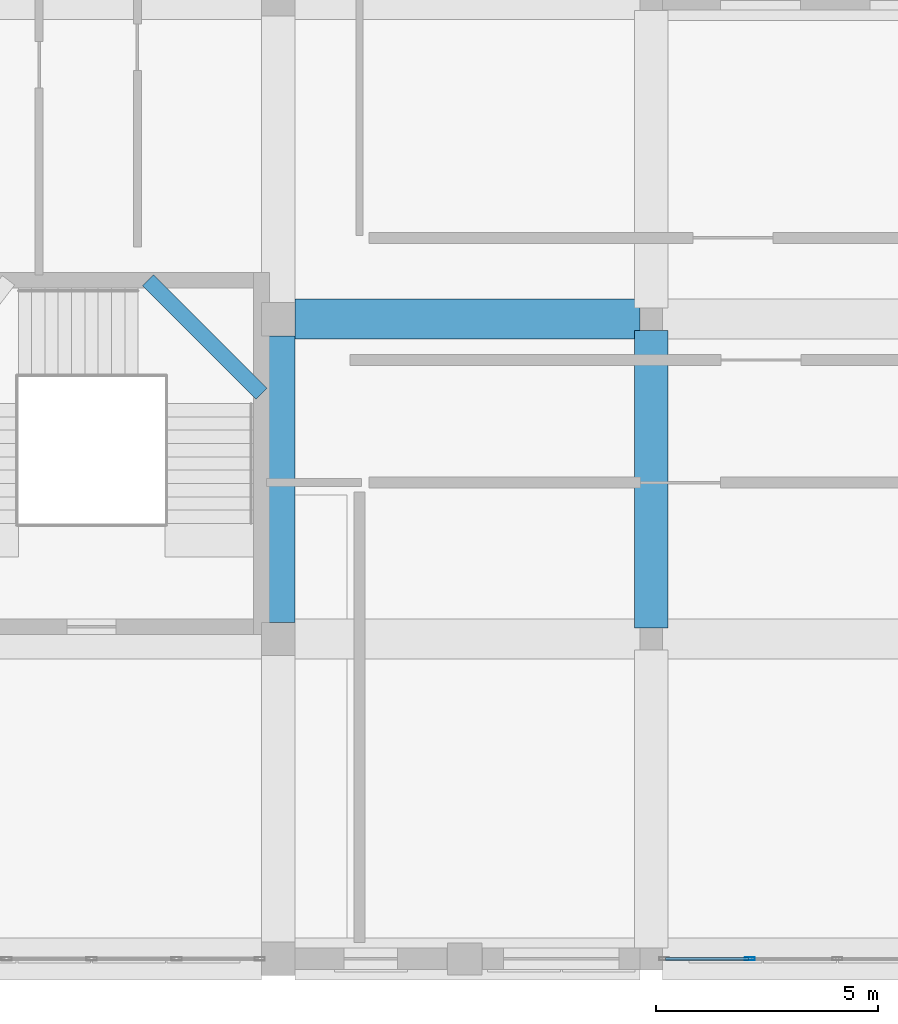
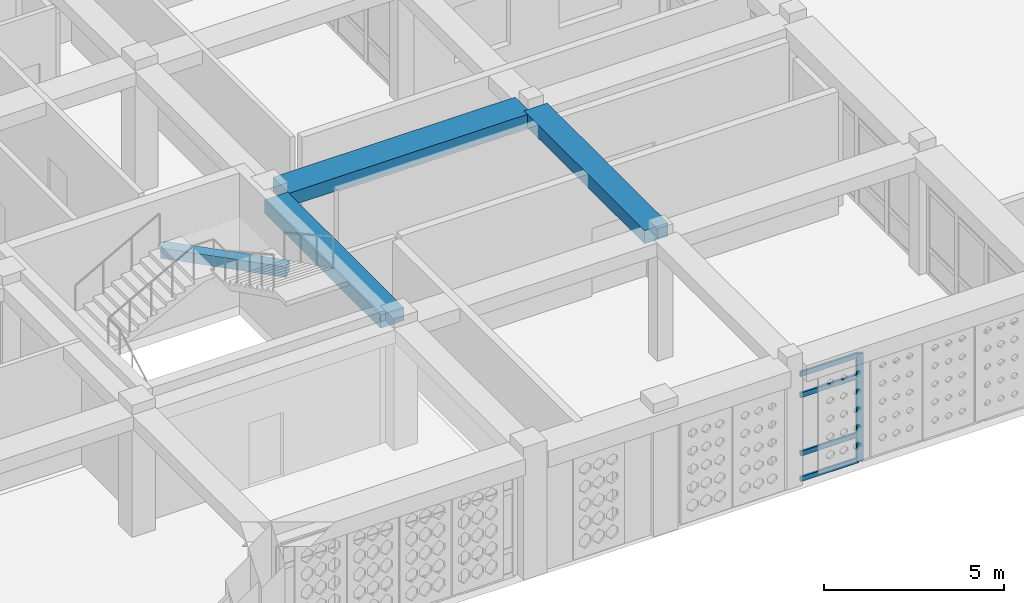
# One storey, part 43 of 111: 5 members, 4 beams, 1 element without a shape of its own.
"""IFC4 building model written with IfcOpenShell, lengths in metres."""

import ifcopenshell
import ifcopenshell.guid

model = None  # the IFC model being written
_history = None  # IfcOwnerHistory: only IFC2X3 demands one
_inside = {}  # id of a spatial element -> (the spatial element, [elements in it])
_under = {}  # id of a project, library or spatial element -> (it, [spatial elements below it])
_declared = {}  # id of a project -> (the project, [libraries it declares])
_typed = {}  # id of a type object -> (the type object, [elements of that type])
_made_of = {}  # id of a material, layer set ... -> (it, [elements and type objects made of it])


def new_model(schema):
    """Start an empty IFC model of exactly this schema.

    Asked for "IFC4X3", IfcOpenShell would pick the latest addendum, in which some entities
    have other attributes; the version numbers below select the first issue.
    IFC2X3 requires an IfcOwnerHistory on every rooted entity: one is made here for all.
    """
    global model, _history
    if schema == "IFC4X3":
        model = ifcopenshell.file(schema_version=(4, 3, 0, 0))
    else:
        model = ifcopenshell.file(schema=schema)
    _inside.clear()
    _under.clear()
    _declared.clear()
    _typed.clear()
    _made_of.clear()
    _history = None
    if model.schema == "IFC2X3":
        org = make("IfcOrganization", Name="unknown")
        user = make(
            "IfcPersonAndOrganization",
            ThePerson=make("IfcPerson", FamilyName="unknown"),
            TheOrganization=org,
        )
        app = make(
            "IfcApplication",
            ApplicationDeveloper=org,
            Version="unknown",
            ApplicationFullName="unknown",
            ApplicationIdentifier="unknown",
        )
        _history = make(
            "IfcOwnerHistory",
            OwningUser=user,
            OwningApplication=app,
            ChangeAction="ADDED",
            CreationDate=0,
        )
    return model


def make(cls, **values):
    """One entity of the class cls with the attributes given. An attribute that is None is left unset."""
    return model.create_entity(
        cls, **{name: value for name, value in values.items() if value is not None}
    )


def rooted(cls, **values):
    """An entity with a GlobalId (a new one), such as an element, a storey or a relation."""
    return make(cls, GlobalId=ifcopenshell.guid.new(), OwnerHistory=_history, **values)


def si_unit(unit_type, name, prefix=None):
    """IfcSIUnit, for example si_unit("LENGTHUNIT", "METRE", prefix="MILLI")."""
    return make("IfcSIUnit", UnitType=unit_type, Prefix=prefix, Name=name)


def derived_unit(unit_type, elements):
    """IfcDerivedUnit: a product of units, each with its exponent."""
    return make(
        "IfcDerivedUnit",
        Elements=[
            make("IfcDerivedUnitElement", Unit=unit, Exponent=power)
            for unit, power in elements
        ],
        UnitType=unit_type,
    )


def assignment(units):
    """IfcUnitAssignment: the units of a project."""
    return None if units is None else make("IfcUnitAssignment", Units=units)


def point(xyz):
    """IfcCartesianPoint."""
    return None if xyz is None else make("IfcCartesianPoint", Coordinates=xyz)


def direction(xyz):
    """IfcDirection."""
    return None if xyz is None else make("IfcDirection", DirectionRatios=xyz)


def frame(location, z_axis=None, x_axis=None):
    """IfcAxis2Placement3D, a coordinate frame: its origin and axes. An axis left out is left unset."""
    return make(
        "IfcAxis2Placement3D",
        Location=point(location),
        Axis=direction(z_axis),
        RefDirection=direction(x_axis),
    )


def frame_2d(location, x_axis=None):
    """IfcAxis2Placement2D, a coordinate frame in the plane: its origin and x axis."""
    return make(
        "IfcAxis2Placement2D", Location=point(location), RefDirection=direction(x_axis)
    )


def origin():
    """The frame at (0, 0, 0) with its axes left unset."""
    return frame((0.0, 0.0, 0.0))


def origin_2d():
    """The frame at (0, 0) in the plane with its x axis left unset."""
    return frame_2d((0.0, 0.0))


def place(relative_to, where):
    """IfcLocalPlacement: puts the frame where relative to a parent placement (None: the world)."""
    return make(
        "IfcLocalPlacement", PlacementRelTo=relative_to, RelativePlacement=where
    )


def context(
    kind, dimensions, precision=None, world=None, true_north=None, identifier=None
):
    """IfcGeometricRepresentationContext, for example the 3D "Model" context."""
    return make(
        "IfcGeometricRepresentationContext",
        ContextIdentifier=identifier,
        ContextType=kind,
        CoordinateSpaceDimension=dimensions,
        Precision=precision,
        WorldCoordinateSystem=world,
        TrueNorth=true_north,
    )


def subcontext(parent, identifier, kind, view, scale=None):
    """IfcGeometricRepresentationSubContext, for example "Body" below "Model"."""
    return make(
        "IfcGeometricRepresentationSubContext",
        ContextIdentifier=identifier,
        ContextType=kind,
        ParentContext=parent,
        TargetScale=scale,
        TargetView=view,
    )


def project(units=None, contexts=None):
    """IfcProject with its units and contexts."""
    return rooted(
        "IfcProject",
        Name="project",
        RepresentationContexts=contexts,
        UnitsInContext=assignment(units),
    )


def spatial(cls, under=None, at=None, **own):
    """A site, building, storey or space (cls), placed at a placement, below another one or the project."""
    s = rooted(cls, ObjectPlacement=at, **own)
    if under is not None:
        _under.setdefault(under.id(), (under, []))[1].append(s)
    return s


def profile(cls, at=None, kind="AREA", **sizes):
    """A parametric profile (cls). Its sizes go by their IFC names, for example OverallWidth=200.0."""
    return make(cls, ProfileType=kind, Position=at, **sizes)


def rectangle(**sizes):
    """IfcRectangleProfileDef."""
    return profile("IfcRectangleProfileDef", **sizes)


def hollow_rectangle(**sizes):
    """IfcRectangleHollowProfileDef."""
    return profile("IfcRectangleHollowProfileDef", **sizes)


def extrude(swept, where, along, depth):
    """IfcExtrudedAreaSolid: the profile swept, set in the frame where, extruded along a direction by depth."""
    return make(
        "IfcExtrudedAreaSolid",
        SweptArea=swept,
        Position=where,
        ExtrudedDirection=direction(along),
        Depth=depth,
    )


def shape(context_of_items, identifier, shape_type, items):
    """IfcShapeRepresentation: the items that make up one representation, for example the "Body"."""
    return make(
        "IfcShapeRepresentation",
        ContextOfItems=context_of_items,
        RepresentationIdentifier=identifier,
        RepresentationType=shape_type,
        Items=items,
    )


def material(Name=None, Category=None):
    """IfcMaterial."""
    return make("IfcMaterial", Name=Name, Category=Category)


def material_profile(
    of_material, cross_section, Name=None, Category=None, Priority=None
):
    """IfcMaterialProfile: a cross section and its material."""
    return make(
        "IfcMaterialProfile",
        Name=Name,
        Material=of_material,
        Profile=cross_section,
        Priority=Priority,
        Category=Category,
    )


def profile_set(profiles, Name=None, composite=None):
    """IfcMaterialProfileSet."""
    return make(
        "IfcMaterialProfileSet",
        Name=Name,
        MaterialProfiles=profiles,
        CompositeProfile=composite,
    )


def made_of(thing, what):
    """Note that an element or type object is made of a material, layer set ...; save() writes the relation."""
    if what is not None:
        _made_of.setdefault(what.id(), (what, []))[1].append(thing)
    return thing


def type_object(cls, material=None, **own):
    """A type object (cls), such as IfcWallType, which elements share."""
    return made_of(rooted(cls, **own), material)


def element(
    cls,
    number,
    at=None,
    inside=None,
    cuts=None,
    type_object=None,
    material=None,
    context=None,
    identifier="Body",
    shape_type=None,
    held_by="IfcProductDefinitionShape",
    body=None,
    shapes=None,
    **own,
):
    """One element of the class cls, such as IfcWall. Its Tag is "e" and its number.

    at: its placement. inside: the storey or other place that contains it. cuts: it is an
    opening in that element (IfcRelVoidsElement). A single representation is given by context,
    identifier, shape_type and body (its items); several are given by shapes. held_by: the class
    of the entity that holds the representations. save() writes the other relations.
    """
    e = rooted(cls, Tag="e%d" % number, ObjectPlacement=at, **own)
    if body is not None:
        shapes = [shape(context, identifier, shape_type, body)]
    if shapes is not None:
        e.Representation = make(held_by, Representations=shapes)
    if inside is not None:
        _inside.setdefault(inside.id(), (inside, []))[1].append(e)
    if cuts is not None:
        rooted(
            "IfcRelVoidsElement", RelatingBuildingElement=cuts, RelatedOpeningElement=e
        )
    if type_object is not None:
        _typed.setdefault(type_object.id(), (type_object, []))[1].append(e)
    return made_of(e, material)


def aggregate(whole, parts):
    """IfcRelAggregates: a whole, such as a stair, and the parts it consists of."""
    return rooted("IfcRelAggregates", RelatingObject=whole, RelatedObjects=parts)


def save(model, path):
    """Write the relations noted so far, then the file.

    IfcRelAggregates (storeys below a building ...), IfcRelContainedInSpatialStructure (elements
    in a storey), IfcRelDefinesByType, IfcRelAssociatesMaterial and IfcRelDeclares: one each for
    every whole, place, type object, material and project.
    """
    for whole, parts in _under.values():
        aggregate(whole, parts)
    for where, things in _inside.values():
        rooted(
            "IfcRelContainedInSpatialStructure",
            RelatedElements=things,
            RelatingStructure=where,
        )
    for kind, things in _typed.values():
        rooted("IfcRelDefinesByType", RelatedObjects=things, RelatingType=kind)
    for what, things in _made_of.values():
        rooted("IfcRelAssociatesMaterial", RelatedObjects=things, RelatingMaterial=what)
    for by, libraries in _declared.values():
        rooted("IfcRelDeclares", RelatingContext=by, RelatedDefinitions=libraries)
    model.write(path)


model = new_model("IFC4")

# Units and contexts
model_context = context("Model", 3, precision=1e-05, world=origin(), true_north=direction((0.0, 1.0)))
body_context = subcontext(model_context, "Body", "Model", "MODEL_VIEW")
ifc_project = project(units=[si_unit("LENGTHUNIT", "METRE"), si_unit("AREAUNIT", "SQUARE_METRE"), si_unit("VOLUMEUNIT", "CUBIC_METRE"), si_unit("PLANEANGLEUNIT", "RADIAN"), si_unit("MASSUNIT", "GRAM", prefix="KILO"), derived_unit("THERMALTRANSMITTANCEUNIT", [(si_unit("POWERUNIT", "WATT"), 1), (si_unit("LENGTHUNIT", "METRE"), -2), (si_unit("THERMODYNAMICTEMPERATUREUNIT", "KELVIN"), -1)])], contexts=[model_context])

# Site, building, storey
site_placement = place(None, origin())
site = spatial("IfcSite", under=ifc_project, at=site_placement, CompositionType="ELEMENT")
building_placement = place(site_placement, origin())
building = spatial("IfcBuilding", under=site, at=building_placement, Name="Veybourne Emporium", CompositionType="ELEMENT")
storey_placement = place(building_placement, frame((0.0, 0.0, 9.89990234375)))
storey = spatial("IfcBuildingStorey", under=building, at=storey_placement, Name="L02", CompositionType="ELEMENT", Elevation=9.89990234375)

# Curtain wall, members
ifc_material_1 = material(Name="Patinated Architectural Bronze", Category="bronze")
curtain_wall_type = type_object("IfcCurtainWallType", Name="CWSystem_CWS-01", PredefinedType="NOTDEFINED", material=ifc_material_1)
curtain_wall_placement = place(storey_placement, origin())
curtain_wall = element("IfcCurtainWall", 1, at=curtain_wall_placement, inside=storey, type_object=curtain_wall_type, Name="L02 bronze glazed curtain wall CWS-01 (072)", PredefinedType="NOTDEFINED")
ifc_material_profile_1 = material_profile(ifc_material_1, hollow_rectangle(XDim=0.072021484375, YDim=0.22509765625, WallThickness=0.0048828125, InnerFilletRadius=0.007568359375, OuterFilletRadius=0.012451171875, at=origin_2d()), Name="CWM 72x225x5")
ifc_profile_set_1 = profile_set([ifc_material_profile_1], Name="Patinated Architectural Bronze")
member_type_1 = type_object("IfcMemberType", Name="CWMullion_CW-M1", PredefinedType="MULLION", material=ifc_profile_set_1)
member_1_placement = place(storey_placement, frame((145.018798828125, 0.0, 0.0), z_axis=(0.0, 0.0, 1.0), x_axis=(0.0, -1.0, 0.0)))
member_1 = element("IfcMember", 2, at=member_1_placement, type_object=member_type_1, Name="CWS-01 mullion 4", PredefinedType="MULLION", context=body_context, shape_type="SweptSolid", body=[
    extrude(hollow_rectangle(XDim=0.072021484375, YDim=0.22509765625, WallThickness=0.0048828125, InnerFilletRadius=0.007568359375, OuterFilletRadius=0.012451171875, at=origin_2d()), origin(), (0.0, 0.0, 1.0), 3.630126953125),
])
ifc_material_profile_2 = material_profile(ifc_material_1, hollow_rectangle(XDim=0.072021484375, YDim=0.175048828125, WallThickness=0.0048828125, InnerFilletRadius=0.007568359375, OuterFilletRadius=0.012451171875, at=origin_2d()), Name="CWT 72x175x5")
ifc_profile_set_2 = profile_set([ifc_material_profile_2], Name="Patinated Architectural Bronze")
member_type_2 = type_object("IfcMemberType", Name="CWTransom_CW-T1", PredefinedType="NOTDEFINED", material=ifc_profile_set_2)
member_2_placement = place(storey_placement, frame((144.982666015625, 0.0, 0.0361328125), z_axis=(-1.0, 0.0, 0.0), x_axis=(0.0, -1.0, 0.0)))
member_2 = element("IfcMember", 3, at=member_2_placement, type_object=member_type_2, Name="CWS-01 transom 4.1", ObjectType="TRANSOM", PredefinedType="USERDEFINED", context=body_context, shape_type="SweptSolid", body=[
    extrude(hollow_rectangle(XDim=0.072021484375, YDim=0.175048828125, WallThickness=0.0048828125, InnerFilletRadius=0.007568359375, OuterFilletRadius=0.012451171875, at=origin_2d()), origin(), (0.0, 0.0, 1.0), 1.860595703125),
])
member_3_placement = place(storey_placement, frame((144.982666015625, 0.0, 0.900146484375), z_axis=(-1.0, 0.0, 0.0), x_axis=(0.0, -1.0, 0.0)))
member_3 = element("IfcMember", 4, at=member_3_placement, type_object=member_type_2, Name="CWS-01 transom 4.2", ObjectType="TRANSOM", PredefinedType="USERDEFINED", context=body_context, shape_type="SweptSolid", body=[
    extrude(hollow_rectangle(XDim=0.072021484375, YDim=0.175048828125, WallThickness=0.0048828125, InnerFilletRadius=0.007568359375, OuterFilletRadius=0.012451171875, at=origin_2d()), origin(), (0.0, 0.0, 1.0), 1.860595703125),
])
member_4_placement = place(storey_placement, frame((144.982666015625, 0.0, 2.880126953125), z_axis=(-1.0, 0.0, 0.0), x_axis=(0.0, -1.0, 0.0)))
member_4 = element("IfcMember", 5, at=member_4_placement, type_object=member_type_2, Name="CWS-01 transom 4.3", ObjectType="TRANSOM", PredefinedType="USERDEFINED", context=body_context, shape_type="SweptSolid", body=[
    extrude(hollow_rectangle(XDim=0.072021484375, YDim=0.175048828125, WallThickness=0.0048828125, InnerFilletRadius=0.007568359375, OuterFilletRadius=0.012451171875, at=origin_2d()), origin(), (0.0, 0.0, 1.0), 1.860595703125),
])
member_5_placement = place(storey_placement, frame((144.982666015625, 0.0, 3.593994140625), z_axis=(-1.0, 0.0, 0.0), x_axis=(0.0, -1.0, 0.0)))
member_5 = element("IfcMember", 6, at=member_5_placement, type_object=member_type_2, Name="CWS-01 transom 4.4", ObjectType="TRANSOM", PredefinedType="USERDEFINED", context=body_context, shape_type="SweptSolid", body=[
    extrude(hollow_rectangle(XDim=0.072021484375, YDim=0.175048828125, WallThickness=0.0048828125, InnerFilletRadius=0.007568359375, OuterFilletRadius=0.012451171875, at=origin_2d()), origin(), (0.0, 0.0, 1.0), 1.860595703125),
])
aggregate(curtain_wall, [member_1, member_2, member_3, member_4, member_5])

# Beams
ifc_material_2 = material(Name="Concrete C32/40", Category="concrete")
ifc_material_profile_3 = material_profile(ifc_material_2, rectangle(XDim=0.35009765625, YDim=0.35009765625, at=origin_2d()), Name="RC 350x350")
ifc_profile_set_3 = profile_set([ifc_material_profile_3], Name="Concrete C32/40")
beam_type_1 = type_object("IfcBeamType", Name="LandingBeam_LB-01", PredefinedType="BEAM", material=ifc_profile_set_3)
beam_1_placement = place(storey_placement, frame((131.469970703125, 15.27490234375, 2.625), z_axis=(0.707106781187, -0.707106781187, 0.0), x_axis=(0.707106781187, 0.707106781187, 0.0)))
element("IfcBeam", 7, at=beam_1_placement, inside=storey, type_object=beam_type_1, Name="L02 ST-06 landing 2 support beam", PredefinedType="BEAM", context=body_context, shape_type="SweptSolid", body=[
    extrude(rectangle(XDim=0.35009765625, YDim=0.35009765625, at=origin_2d()), origin(), (0.0, 0.0, 1.0), 3.61328125),
])
ifc_material_profile_4 = material_profile(ifc_material_2, rectangle(XDim=0.89990234375, YDim=0.449951171875, at=origin_2d()), Name="RC 900x450")
ifc_profile_set_4 = profile_set([ifc_material_profile_4], Name="Concrete C32/40")
beam_type_2 = type_object("IfcBeamType", Name="RCBeam_BB-03", PredefinedType="BEAM", material=ifc_profile_set_4)
beam_2_placement = place(storey_placement, frame((134.77490234375, 14.39990234375, 3.955078125), z_axis=(1.0, 0.0, 0.0), x_axis=(0.0, 1.0, 0.0)))
element("IfcBeam", 8, at=beam_2_placement, inside=storey, type_object=beam_type_2, Name="L02 X-grid beam BB-03 (16,2)", PredefinedType="BEAM", context=body_context, shape_type="SweptSolid", body=[
    extrude(rectangle(XDim=0.89990234375, YDim=0.449951171875, at=origin_2d()), origin(), (0.0, 0.0, 1.0), 7.775146484375),
])
ifc_material_profile_5 = material_profile(ifc_material_2, rectangle(XDim=0.75, YDim=0.449951171875, at=origin_2d()), Name="RC 750x450")
ifc_profile_set_5 = profile_set([ifc_material_profile_5], Name="Concrete C32/40")
beam_type_3 = type_object("IfcBeamType", Name="RCBeam_BB-04", PredefinedType="BEAM", material=ifc_profile_set_5)
beam_3_placement = place(storey_placement, frame((134.39990234375, 7.574951171875, 3.955078125), z_axis=(0.0, 1.0, 0.0), x_axis=(-1.0, 0.0, 0.0)))
element("IfcBeam", 9, at=beam_3_placement, inside=storey, type_object=beam_type_3, Name="L02 Y-grid beam BB-04 (16,1)", PredefinedType="BEAM", context=body_context, shape_type="SweptSolid", body=[
    extrude(rectangle(XDim=0.75, YDim=0.449951171875, at=origin_2d()), origin(), (0.0, 0.0, 1.0), 6.449951171875),
])
beam_4_placement = place(storey_placement, frame((142.800048828125, 7.449951171875, 3.955078125), z_axis=(0.0, 1.0, 0.0), x_axis=(-1.0, 0.0, 0.0)))
element("IfcBeam", 10, at=beam_4_placement, inside=storey, type_object=beam_type_3, Name="L02 Y-grid beam BB-04 (17,1)", PredefinedType="BEAM", context=body_context, shape_type="SweptSolid", body=[
    extrude(rectangle(XDim=0.75, YDim=0.449951171875, at=origin_2d()), origin(), (0.0, 0.0, 1.0), 6.699951171875),
])

save(model, "model.ifc")
